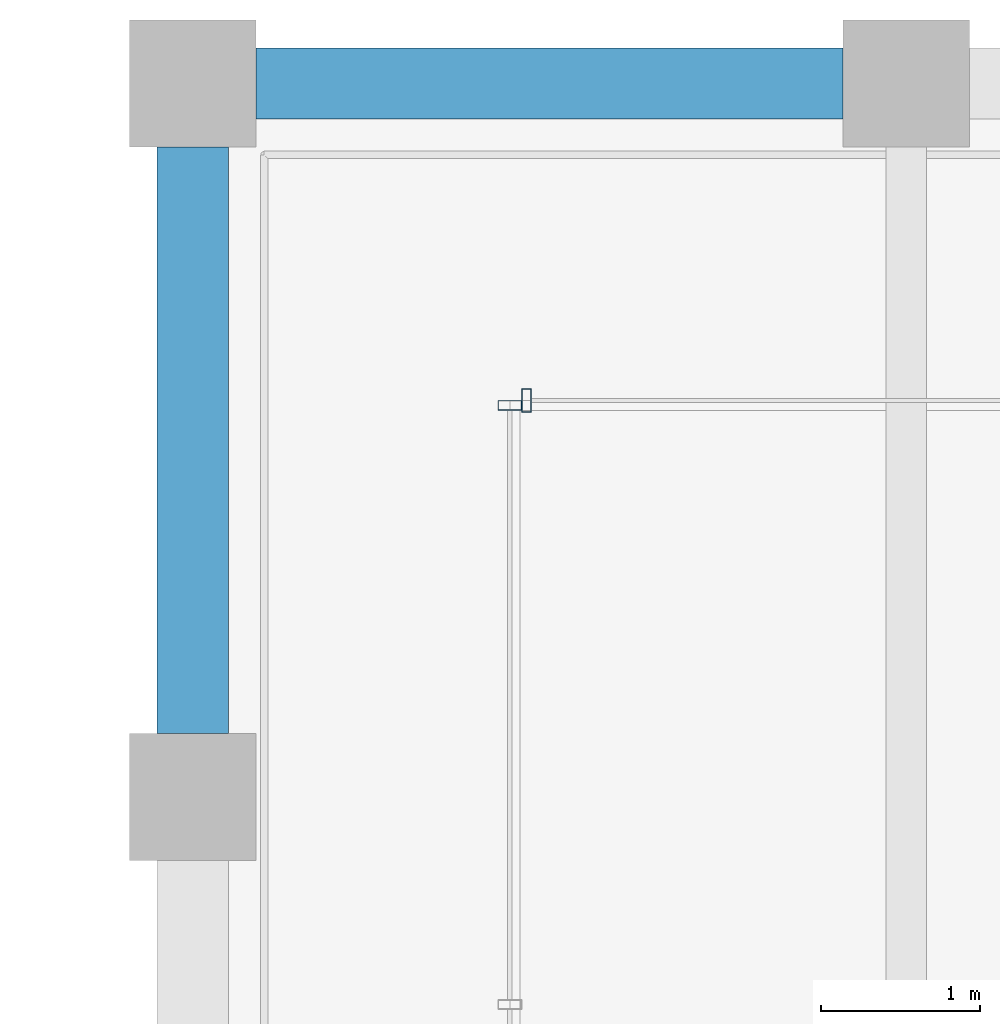
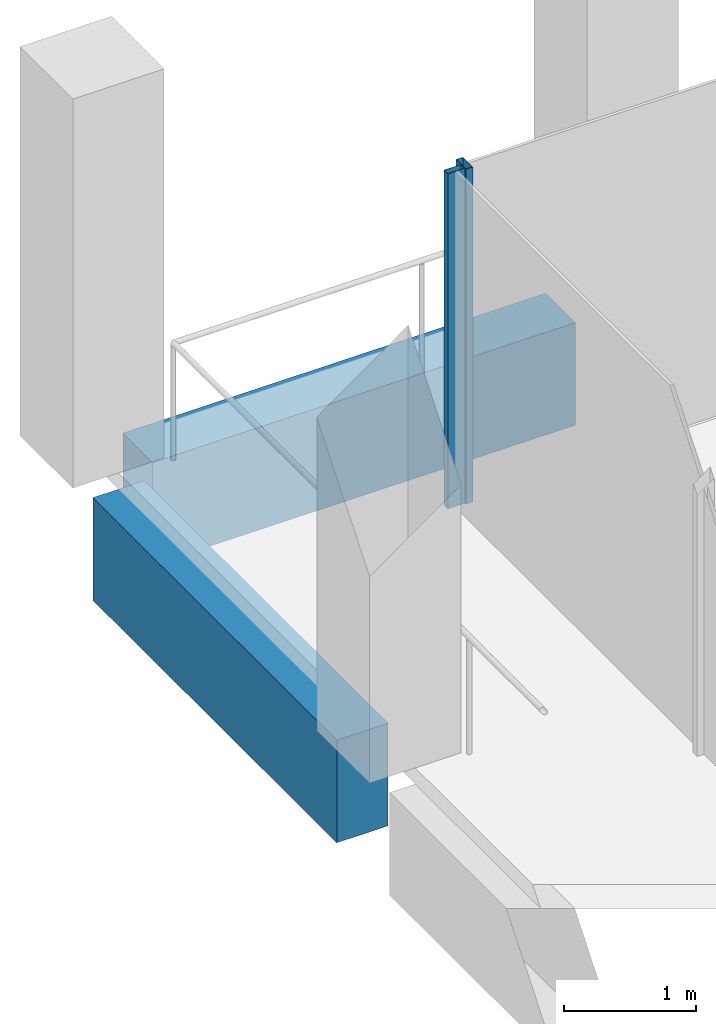
# One storey, part 21 of 30: 2 beams, 2 members, 2 elements without a shape of their own.
"""IFC4 building model written with IfcOpenShell, lengths in metres."""

from ifc_helpers import new_model, si_unit, direction, frame, origin, origin_2d, place, context, subcontext, project, spatial, rectangle, hollow_rectangle, extrude, material, material_profile, profile_set, type_object, element, aggregate, save


model = new_model("IFC4")

# Units and contexts
model_context = context("Model", 3, precision=1e-05, world=origin(), true_north=direction((0.0, 1.0)))
body_context = subcontext(model_context, "Body", "Model", "MODEL_VIEW")
ifc_project = project(units=[si_unit("LENGTHUNIT", "METRE"), si_unit("AREAUNIT", "SQUARE_METRE"), si_unit("VOLUMEUNIT", "CUBIC_METRE"), si_unit("PLANEANGLEUNIT", "RADIAN"), si_unit("MASSUNIT", "GRAM", prefix="KILO")], contexts=[model_context])

# Site, building, storey
site_placement = place(None, origin())
site = spatial("IfcSite", under=ifc_project, at=site_placement, CompositionType="ELEMENT")
building_placement = place(site_placement, origin())
building = spatial("IfcBuilding", under=site, at=building_placement, Name="Altepetl Exchange Towers", CompositionType="ELEMENT")
storey_placement = place(building_placement, frame((0.0, 0.0, 228.0)))
storey = spatial("IfcBuildingStorey", under=building, at=storey_placement, Name="L58", CompositionType="ELEMENT", Elevation=228.0)

# Curtain wall, member
ifc_material_1 = material(Name="Aluminium 6063-T6 glazing", Category="aluminium")
curtain_wall_type = type_object("IfcCurtainWallType", Name="Loggia glazing system", PredefinedType="NOTDEFINED", material=ifc_material_1)
curtain_wall_1_placement = place(storey_placement, origin())
curtain_wall_1 = element("IfcCurtainWall", 1, at=curtain_wall_1_placement, inside=storey, type_object=curtain_wall_type, Name="CW1 run", PredefinedType="NOTDEFINED")
ifc_material_2 = material(Name="Aluminium 6063-T6", Category="aluminium")
ifc_material_profile_1 = material_profile(ifc_material_2, hollow_rectangle(XDim=0.06005859375, YDim=0.14990234375, WallThickness=0.0029296875, at=origin_2d()), Name="Mullion 60x150 aluminium")
ifc_profile_set_1 = profile_set([ifc_material_profile_1], Name="Aluminium 6063-T6")
member_type = type_object("IfcMemberType", Name="Mullion 60x150 aluminium", PredefinedType="MULLION", material=ifc_profile_set_1)
member_1_placement = place(storey_placement, frame((42.60498046875, 70.0, 0.0), z_axis=(0.0, 0.0, 1.0), x_axis=(-1.0, 0.0, 0.0)))
member_1 = element("IfcMember", 2, at=member_1_placement, type_object=member_type, Name="MU1 mullion", PredefinedType="MULLION", context=body_context, shape_type="SweptSolid", body=[
    extrude(hollow_rectangle(XDim=0.06005859375, YDim=0.14990234375, WallThickness=0.0029296875, at=origin_2d()), origin(), (0.0, 0.0, 1.0), 3.10009765625),
])
aggregate(curtain_wall_1, [member_1])

curtain_wall_2_placement = place(storey_placement, origin())
curtain_wall_2 = element("IfcCurtainWall", 3, at=curtain_wall_2_placement, inside=storey, type_object=curtain_wall_type, Name="CW1 run", PredefinedType="NOTDEFINED")
member_2_placement = place(storey_placement, frame((42.5, 69.969970703125, 0.0), z_axis=(0.0, 0.0, 1.0), x_axis=(0.0, -1.0, 0.0)))
member_2 = element("IfcMember", 4, at=member_2_placement, type_object=member_type, Name="MU1 mullion", PredefinedType="MULLION", context=body_context, shape_type="SweptSolid", body=[
    extrude(hollow_rectangle(XDim=0.06005859375, YDim=0.14990234375, WallThickness=0.0029296875, at=origin_2d()), origin(), (0.0, 0.0, 1.0), 3.10009765625),
])
aggregate(curtain_wall_2, [member_2])

# Beams
ifc_material_3 = material(Name="Concrete C50/60 precast with cantera rosa facing", Category="concrete")
ifc_material_profile_2 = material_profile(ifc_material_3, rectangle(XDim=0.449951171875, YDim=0.949951171875, at=origin_2d()), Name="450 x 950")
ifc_profile_set_2 = profile_set([ifc_material_profile_2], Name="Concrete C50/60 precast with cantera rosa facing")
beam_type_1 = type_object("IfcBeamType", Name="Spandrel beam 450x950 cantera rosa", PredefinedType="SPANDREL", material=ifc_profile_set_2)
beam_1_placement = place(storey_placement, frame((44.60009765625, 72.0, -0.625), z_axis=(-1.0, 0.0, 0.0), x_axis=(0.0, -1.0, 0.0)))
element("IfcBeam", 5, at=beam_1_placement, inside=storey, type_object=beam_type_1, Name="sp:A:L58:029", PredefinedType="SPANDREL", context=body_context, shape_type="SweptSolid", body=[
    extrude(rectangle(XDim=0.449951171875, YDim=0.949951171875, at=origin_2d()), origin(), (0.0, 0.0, 1.0), 3.7001953125),
])
ifc_material_4 = material(Name="Concrete C50/60 precast with tezontle facing", Category="concrete")
ifc_material_profile_3 = material_profile(ifc_material_4, rectangle(XDim=0.449951171875, YDim=0.949951171875, at=origin_2d()), Name="450 x 950")
ifc_profile_set_3 = profile_set([ifc_material_profile_3], Name="Concrete C50/60 precast with tezontle facing")
beam_type_2 = type_object("IfcBeamType", Name="Spandrel beam 450x950 tezontle", PredefinedType="SPANDREL", material=ifc_profile_set_3)
beam_2_placement = place(storey_placement, frame((40.5, 71.60009765625, -0.625), z_axis=(0.0, -1.0, 0.0), x_axis=(1.0, 0.0, 0.0)))
element("IfcBeam", 6, at=beam_2_placement, inside=storey, type_object=beam_type_2, Name="sp:A:L58:030", PredefinedType="SPANDREL", context=body_context, shape_type="SweptSolid", body=[
    extrude(rectangle(XDim=0.449951171875, YDim=0.949951171875, at=origin_2d()), origin(), (0.0, 0.0, 1.0), 3.7001953125),
])

save(model, "model.ifc")
